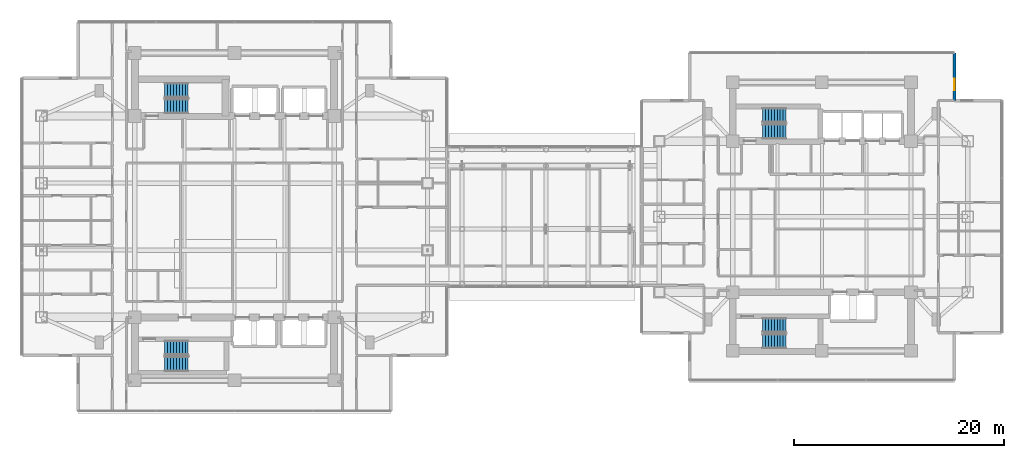
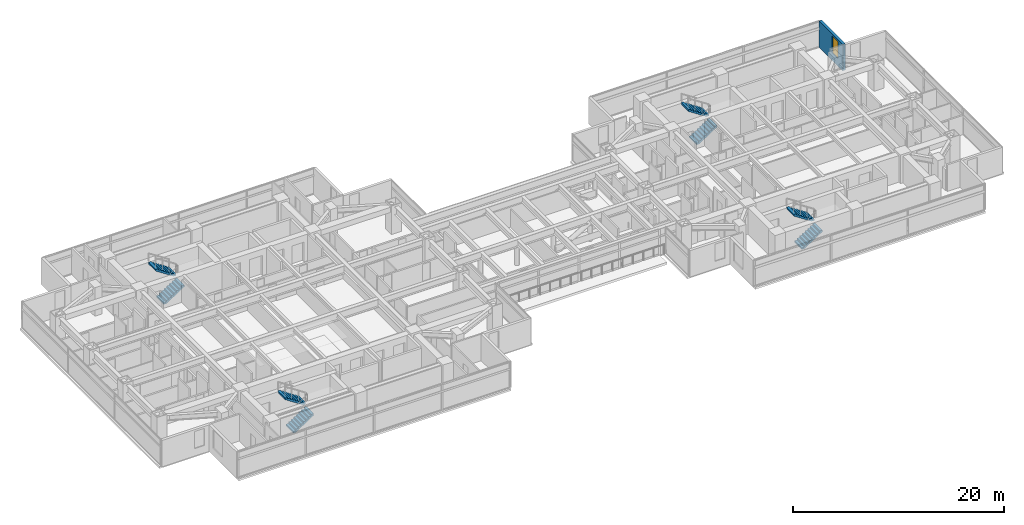
# One storey, part 22 of 29: 8 stair flights, 1 wall, 1 window, 1 opening, 4 elements without a shape of their own.
"""IFC4 building model written with IfcOpenShell, lengths in metres."""

from ifc_helpers import new_model, si_unit, direction, frame, frame_2d, origin, place, context, subcontext, project, spatial, polyline, rectangle, outline, extrude, material, layer, layer_set, type_object, element, fill, aggregate, save


model = new_model("IFC4")

# Units and contexts
model_context = context("Model", 3, precision=1e-05, world=origin(), true_north=direction((0.0, 1.0)))
body_context = subcontext(model_context, "Body", "Model", "MODEL_VIEW")
ifc_project = project(units=[si_unit("LENGTHUNIT", "METRE"), si_unit("AREAUNIT", "SQUARE_METRE"), si_unit("VOLUMEUNIT", "CUBIC_METRE"), si_unit("PLANEANGLEUNIT", "RADIAN"), si_unit("MASSUNIT", "GRAM", prefix="KILO")], contexts=[model_context])

# Site, building, storey
site_placement = place(None, origin())
site = spatial("IfcSite", under=ifc_project, at=site_placement, CompositionType="ELEMENT")
building_placement = place(site_placement, origin())
building = spatial("IfcBuilding", under=site, at=building_placement, Name="Mirazonda Arch Towers", CompositionType="ELEMENT")
storey_placement = place(building_placement, frame((0.0, 0.0, 88.39990234375)))
storey = spatial("IfcBuildingStorey", under=building, at=storey_placement, Name="L24", CompositionType="ELEMENT", Elevation=88.39990234375)

# Wall, opening, window
ifc_material_1 = material(Name="Precast Concrete C40/50", Category="concrete")
ifc_layer = layer(ifc_material_1, 0.280029296875, Name="WALL-EXT-WALL-280")
ifc_layer_set = layer_set([ifc_layer], Name="Precast Concrete C40/50")
wall_type = type_object("IfcWallType", Name="WALL-EXT-WALL-280", PredefinedType="SOLIDWALL", material=ifc_layer_set)
wall_placement = place(storey_placement, frame((89.126220703125, 39.081298828125, 0.0), z_axis=(0.0, 0.0, 1.0), x_axis=(0.0, 1.0, 0.0)))
wall = element("IfcWall", 1, at=wall_placement, inside=storey, type_object=wall_type, Name="L24 T2 Notched NE Corner Wall WL-L24-T2-CNE", PredefinedType="SOLIDWALL", context=body_context, shape_type="SweptSolid", body=[
    extrude(rectangle(XDim=4.51611328125, YDim=0.280029296875, at=frame_2d((2.258056640625, 0.0))), origin(), (0.0, 0.0, 1.0), 3.06005859375),
])
opening_placement = place(wall_placement, frame((0.949951171875, 0.0, 0.85009765625)))
opening = element("IfcOpeningElement", 2, at=opening_placement, cuts=wall, Name="Opening WN-108", PredefinedType="OPENING", context=body_context, shape_type="SweptSolid", body=[
    extrude(rectangle(XDim=1.10009765625, YDim=2.0, at=frame_2d((0.550048828125, 1.0))), frame((0.0, 0.14990234375, 0.0), z_axis=(0.0, -1.0, 0.0), x_axis=(1.0, 0.0, 0.0)), (0.0, 0.0, 1.0), 0.300048828125),
])
ifc_material_2 = material(Name="Insulated Low-E Solar Glass", Category="glass")
window_type = type_object("IfcWindowType", Name="WIN-NOTCH-1100x2000", PartitioningType="SINGLE_PANEL", PredefinedType="WINDOW", material=ifc_material_2)
window_placement = place(opening_placement, origin())
window = element("IfcWindow", 3, at=window_placement, inside=storey, type_object=window_type, Name="L24 Punched Facade Window WN-L24-T2-CNE", OverallHeight=2.0, OverallWidth=1.10009765625, PartitioningType="SINGLE_PANEL", PredefinedType="WINDOW", context=body_context, shape_type="SweptSolid", body=[
    extrude(rectangle(XDim=1.10009765625, YDim=2.0, at=frame_2d((0.550048828125, 1.0))), frame((0.0, 0.030029296875, 0.0), z_axis=(0.0, -1.0, 0.0), x_axis=(1.0, 0.0, 0.0)), (0.0, 0.0, 1.0), 0.06005859375),
])
fill(opening, window)

# Stair, stair flights
ifc_material_3 = material(Name="Concrete C40/50", Category="concrete")
stair_type = type_object("IfcStairType", Name="STAIR-CORE-1400", PredefinedType="HALF_TURN_STAIR", material=ifc_material_3)
stair_1_placement = place(storey_placement, origin())
stair_1 = element("IfcStair", 4, at=stair_1_placement, inside=storey, type_object=stair_type, Name="L24 Protected Exit Stair ST-T1N", PredefinedType="HALF_TURN_STAIR")
stair_flight_type = type_object("IfcStairFlightType", Name="FLIGHT-1400", PredefinedType="STRAIGHT", material=ifc_material_3)
stair_flight_1_placement = place(storey_placement, frame((13.85009765625, 38.52001953125, 0.0), z_axis=(0.0, 0.0, 1.0), x_axis=(1.0, 0.0, 0.0)))
stair_flight_1 = element("IfcStairFlight", 5, at=stair_flight_1_placement, type_object=stair_flight_type, Name="ST-T1N flight 1", NumberOfRisers=9, NumberOfTreads=8, PredefinedType="STRAIGHT", RiserHeight=0.183333333, TreadLength=0.28, context=body_context, shape_type="SweptSolid", body=[
    extrude(outline(polyline([(0.0, 0.0), (0.0, 0.183349609375), (0.280029296875, 0.183349609375), (0.280029296875, 0.36669921875), (0.56005859375, 0.36669921875), (0.56005859375, 0.550048828125), (0.840087890625, 0.550048828125), (0.840087890625, 0.7333984375), (1.1201171875, 0.7333984375), (1.1201171875, 0.916748046875), (1.39990234375, 0.916748046875), (1.39990234375, 1.10009765625), (1.679931640625, 1.10009765625), (1.679931640625, 1.283447265625), (1.9599609375, 1.283447265625), (1.9599609375, 1.466552734375), (2.239990234375, 1.466552734375), (2.239990234375, 1.64990234375), (2.239990234375, 1.275634765625), (0.2919921875, 0.0), (0.0, 0.0)])), frame((0.0, 0.699951171875, 0.0), z_axis=(0.0, -1.0, 0.0), x_axis=(1.0, 0.0, 0.0)), (0.0, 0.0, 1.0), 1.39990234375),
])
stair_flight_2_placement = place(storey_placement, frame((16.090087890625, 40.06005859375, 1.650146484375), z_axis=(0.0, 0.0, 1.0), x_axis=(-1.0, 0.0, 0.0)))
stair_flight_2 = element("IfcStairFlight", 6, at=stair_flight_2_placement, type_object=stair_flight_type, Name="ST-T1N flight 2", NumberOfRisers=9, NumberOfTreads=8, PredefinedType="STRAIGHT", RiserHeight=0.183333333, TreadLength=0.28, context=body_context, shape_type="SweptSolid", body=[
    extrude(outline(polyline([(0.0, 0.0), (0.0, 0.183349609375), (0.280029296875, 0.183349609375), (0.280029296875, 0.36669921875), (0.56005859375, 0.36669921875), (0.56005859375, 0.550048828125), (0.840087890625, 0.550048828125), (0.840087890625, 0.7333984375), (1.1201171875, 0.7333984375), (1.1201171875, 0.916748046875), (1.39990234375, 0.916748046875), (1.39990234375, 1.10009765625), (1.679931640625, 1.10009765625), (1.679931640625, 1.283447265625), (1.9599609375, 1.283447265625), (1.9599609375, 1.466552734375), (2.239990234375, 1.466552734375), (2.239990234375, 1.64990234375), (2.239990234375, 1.275634765625), (0.2919921875, 0.0), (0.0, 0.0)])), frame((0.0, 0.699951171875, 0.0), z_axis=(0.0, -1.0, 0.0), x_axis=(1.0, 0.0, 0.0)), (0.0, 0.0, 1.0), 1.39990234375),
])
aggregate(stair_1, [stair_flight_1, stair_flight_2])

stair_2_placement = place(storey_placement, origin())
stair_2 = element("IfcStair", 7, at=stair_2_placement, inside=storey, type_object=stair_type, Name="L24 Protected Exit Stair ST-T1S", PredefinedType="HALF_TURN_STAIR")
stair_flight_3_placement = place(storey_placement, frame((13.85009765625, 13.949951171875, 0.0), z_axis=(0.0, 0.0, 1.0), x_axis=(1.0, 0.0, 0.0)))
stair_flight_3 = element("IfcStairFlight", 8, at=stair_flight_3_placement, type_object=stair_flight_type, Name="ST-T1S flight 1", NumberOfRisers=9, NumberOfTreads=8, PredefinedType="STRAIGHT", RiserHeight=0.183333333, TreadLength=0.28, context=body_context, shape_type="SweptSolid", body=[
    extrude(outline(polyline([(0.0, 0.0), (0.0, 0.183349609375), (0.280029296875, 0.183349609375), (0.280029296875, 0.36669921875), (0.56005859375, 0.36669921875), (0.56005859375, 0.550048828125), (0.840087890625, 0.550048828125), (0.840087890625, 0.7333984375), (1.1201171875, 0.7333984375), (1.1201171875, 0.916748046875), (1.39990234375, 0.916748046875), (1.39990234375, 1.10009765625), (1.679931640625, 1.10009765625), (1.679931640625, 1.283447265625), (1.9599609375, 1.283447265625), (1.9599609375, 1.466552734375), (2.239990234375, 1.466552734375), (2.239990234375, 1.64990234375), (2.239990234375, 1.275634765625), (0.2919921875, 0.0), (0.0, 0.0)])), frame((0.0, 0.699951171875, 0.0), z_axis=(0.0, -1.0, 0.0), x_axis=(1.0, 0.0, 0.0)), (0.0, 0.0, 1.0), 1.39990234375),
])
stair_flight_4_placement = place(storey_placement, frame((16.090087890625, 15.489990234375, 1.650146484375), z_axis=(0.0, 0.0, 1.0), x_axis=(-1.0, 0.0, 0.0)))
stair_flight_4 = element("IfcStairFlight", 9, at=stair_flight_4_placement, type_object=stair_flight_type, Name="ST-T1S flight 2", NumberOfRisers=9, NumberOfTreads=8, PredefinedType="STRAIGHT", RiserHeight=0.183333333, TreadLength=0.28, context=body_context, shape_type="SweptSolid", body=[
    extrude(outline(polyline([(0.0, 0.0), (0.0, 0.183349609375), (0.280029296875, 0.183349609375), (0.280029296875, 0.36669921875), (0.56005859375, 0.36669921875), (0.56005859375, 0.550048828125), (0.840087890625, 0.550048828125), (0.840087890625, 0.7333984375), (1.1201171875, 0.7333984375), (1.1201171875, 0.916748046875), (1.39990234375, 0.916748046875), (1.39990234375, 1.10009765625), (1.679931640625, 1.10009765625), (1.679931640625, 1.283447265625), (1.9599609375, 1.283447265625), (1.9599609375, 1.466552734375), (2.239990234375, 1.466552734375), (2.239990234375, 1.64990234375), (2.239990234375, 1.275634765625), (0.2919921875, 0.0), (0.0, 0.0)])), frame((0.0, 0.699951171875, 0.0), z_axis=(0.0, -1.0, 0.0), x_axis=(1.0, 0.0, 0.0)), (0.0, 0.0, 1.0), 1.39990234375),
])
aggregate(stair_2, [stair_flight_3, stair_flight_4])

stair_3_placement = place(storey_placement, origin())
stair_3 = element("IfcStair", 10, at=stair_3_placement, inside=storey, type_object=stair_type, Name="L24 Protected Exit Stair ST-T2N", PredefinedType="HALF_TURN_STAIR")
stair_flight_5_placement = place(storey_placement, frame((70.85009765625, 36.1201171875, 0.0), z_axis=(0.0, 0.0, 1.0), x_axis=(1.0, 0.0, 0.0)))
stair_flight_5 = element("IfcStairFlight", 11, at=stair_flight_5_placement, type_object=stair_flight_type, Name="ST-T2N flight 1", NumberOfRisers=9, NumberOfTreads=8, PredefinedType="STRAIGHT", RiserHeight=0.183333333, TreadLength=0.28, context=body_context, shape_type="SweptSolid", body=[
    extrude(outline(polyline([(0.0, 0.0), (0.0, 0.183349609375), (0.280029296875, 0.183349609375), (0.280029296875, 0.36669921875), (0.56005859375, 0.36669921875), (0.56005859375, 0.550048828125), (0.840087890625, 0.550048828125), (0.840087890625, 0.7333984375), (1.1201171875, 0.7333984375), (1.1201171875, 0.916748046875), (1.39990234375, 0.916748046875), (1.39990234375, 1.10009765625), (1.679931640625, 1.10009765625), (1.679931640625, 1.283447265625), (1.9599609375, 1.283447265625), (1.9599609375, 1.466552734375), (2.239990234375, 1.466552734375), (2.239990234375, 1.64990234375), (2.239990234375, 1.275634765625), (0.2919921875, 0.0), (0.0, 0.0)])), frame((0.0, 0.699951171875, 0.0), z_axis=(0.0, -1.0, 0.0), x_axis=(1.0, 0.0, 0.0)), (0.0, 0.0, 1.0), 1.39990234375),
])
stair_flight_6_placement = place(storey_placement, frame((73.090087890625, 37.659912109375, 1.650146484375), z_axis=(0.0, 0.0, 1.0), x_axis=(-1.0, 0.0, 0.0)))
stair_flight_6 = element("IfcStairFlight", 12, at=stair_flight_6_placement, type_object=stair_flight_type, Name="ST-T2N flight 2", NumberOfRisers=9, NumberOfTreads=8, PredefinedType="STRAIGHT", RiserHeight=0.183333333, TreadLength=0.28, context=body_context, shape_type="SweptSolid", body=[
    extrude(outline(polyline([(0.0, 0.0), (0.0, 0.183349609375), (0.280029296875, 0.183349609375), (0.280029296875, 0.36669921875), (0.56005859375, 0.36669921875), (0.56005859375, 0.550048828125), (0.840087890625, 0.550048828125), (0.840087890625, 0.7333984375), (1.1201171875, 0.7333984375), (1.1201171875, 0.916748046875), (1.39990234375, 0.916748046875), (1.39990234375, 1.10009765625), (1.679931640625, 1.10009765625), (1.679931640625, 1.283447265625), (1.9599609375, 1.283447265625), (1.9599609375, 1.466552734375), (2.239990234375, 1.466552734375), (2.239990234375, 1.64990234375), (2.239990234375, 1.275634765625), (0.2919921875, 0.0), (0.0, 0.0)])), frame((0.0, 0.699951171875, 0.0), z_axis=(0.0, -1.0, 0.0), x_axis=(1.0, 0.0, 0.0)), (0.0, 0.0, 1.0), 1.39990234375),
])
aggregate(stair_3, [stair_flight_5, stair_flight_6])

stair_4_placement = place(storey_placement, origin())
stair_4 = element("IfcStair", 13, at=stair_4_placement, inside=storey, type_object=stair_type, Name="L24 Protected Exit Stair ST-T2S", PredefinedType="HALF_TURN_STAIR")
stair_flight_7_placement = place(storey_placement, frame((70.85009765625, 16.1201171875, 0.0), z_axis=(0.0, 0.0, 1.0), x_axis=(1.0, 0.0, 0.0)))
stair_flight_7 = element("IfcStairFlight", 14, at=stair_flight_7_placement, type_object=stair_flight_type, Name="ST-T2S flight 1", NumberOfRisers=9, NumberOfTreads=8, PredefinedType="STRAIGHT", RiserHeight=0.183333333, TreadLength=0.28, context=body_context, shape_type="SweptSolid", body=[
    extrude(outline(polyline([(0.0, 0.0), (0.0, 0.183349609375), (0.280029296875, 0.183349609375), (0.280029296875, 0.36669921875), (0.56005859375, 0.36669921875), (0.56005859375, 0.550048828125), (0.840087890625, 0.550048828125), (0.840087890625, 0.7333984375), (1.1201171875, 0.7333984375), (1.1201171875, 0.916748046875), (1.39990234375, 0.916748046875), (1.39990234375, 1.10009765625), (1.679931640625, 1.10009765625), (1.679931640625, 1.283447265625), (1.9599609375, 1.283447265625), (1.9599609375, 1.466552734375), (2.239990234375, 1.466552734375), (2.239990234375, 1.64990234375), (2.239990234375, 1.275634765625), (0.2919921875, 0.0), (0.0, 0.0)])), frame((0.0, 0.699951171875, 0.0), z_axis=(0.0, -1.0, 0.0), x_axis=(1.0, 0.0, 0.0)), (0.0, 0.0, 1.0), 1.39990234375),
])
stair_flight_8_placement = place(storey_placement, frame((73.090087890625, 17.659912109375, 1.650146484375), z_axis=(0.0, 0.0, 1.0), x_axis=(-1.0, 0.0, 0.0)))
stair_flight_8 = element("IfcStairFlight", 15, at=stair_flight_8_placement, type_object=stair_flight_type, Name="ST-T2S flight 2", NumberOfRisers=9, NumberOfTreads=8, PredefinedType="STRAIGHT", RiserHeight=0.183333333, TreadLength=0.28, context=body_context, shape_type="SweptSolid", body=[
    extrude(outline(polyline([(0.0, 0.0), (0.0, 0.183349609375), (0.280029296875, 0.183349609375), (0.280029296875, 0.36669921875), (0.56005859375, 0.36669921875), (0.56005859375, 0.550048828125), (0.840087890625, 0.550048828125), (0.840087890625, 0.7333984375), (1.1201171875, 0.7333984375), (1.1201171875, 0.916748046875), (1.39990234375, 0.916748046875), (1.39990234375, 1.10009765625), (1.679931640625, 1.10009765625), (1.679931640625, 1.283447265625), (1.9599609375, 1.283447265625), (1.9599609375, 1.466552734375), (2.239990234375, 1.466552734375), (2.239990234375, 1.64990234375), (2.239990234375, 1.275634765625), (0.2919921875, 0.0), (0.0, 0.0)])), frame((0.0, 0.699951171875, 0.0), z_axis=(0.0, -1.0, 0.0), x_axis=(1.0, 0.0, 0.0)), (0.0, 0.0, 1.0), 1.39990234375),
])
aggregate(stair_4, [stair_flight_7, stair_flight_8])

save(model, "model.ifc")
